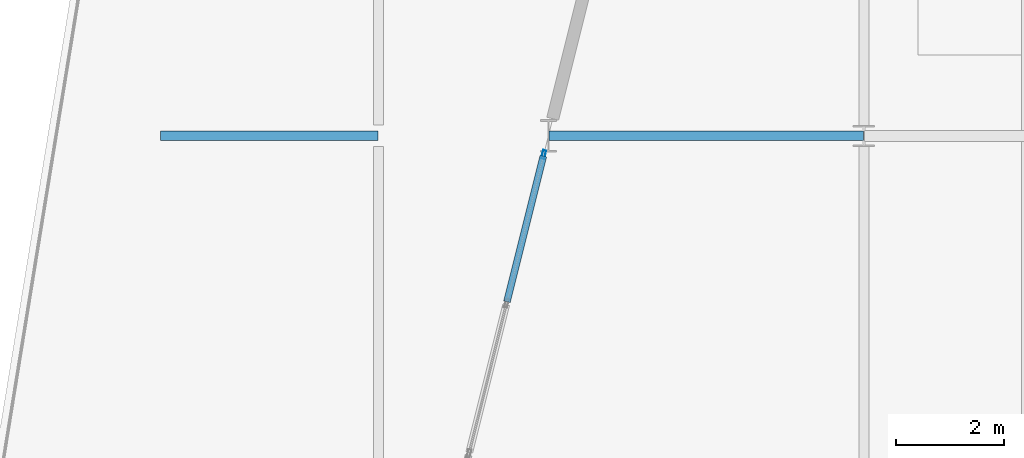
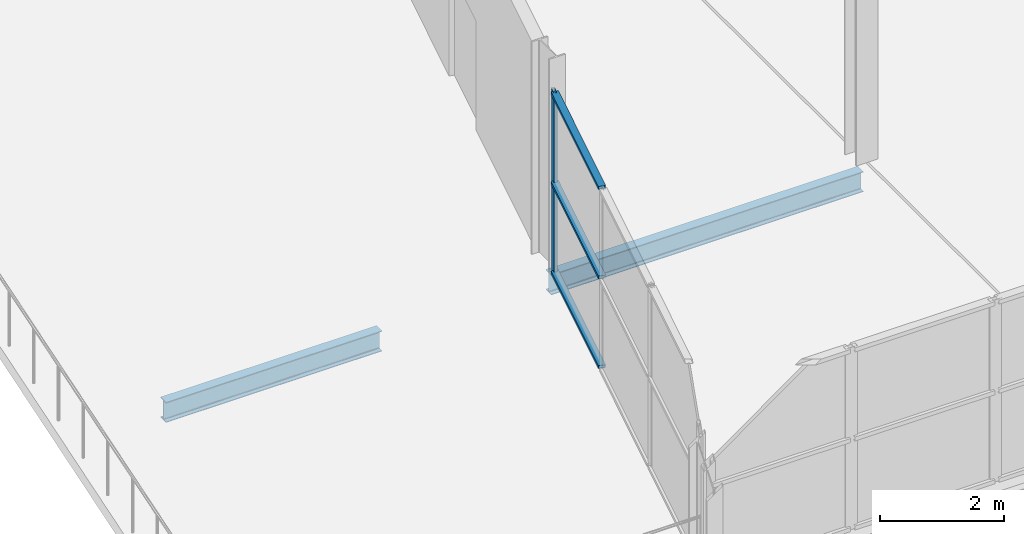
# One storey, part 10 of 44: 4 members, 2 beams, 1 element without a shape of its own.
"""IFC4 building model written with IfcOpenShell, lengths in metres."""

from ifc_helpers import new_model, si_unit, direction, frame, origin, origin_2d, place, context, subcontext, project, spatial, hollow_rectangle, i_section, extrude, material, layer, layer_set, material_profile, profile_set, type_object, element, aggregate, save


model = new_model("IFC4")

# Units and contexts
model_context = context("Model", 3, precision=1e-05, world=origin(), true_north=direction((0.0, 1.0)))
body_context = subcontext(model_context, "Body", "Model", "MODEL_VIEW")
ifc_project = project(units=[si_unit("LENGTHUNIT", "METRE"), si_unit("AREAUNIT", "SQUARE_METRE"), si_unit("VOLUMEUNIT", "CUBIC_METRE"), si_unit("PLANEANGLEUNIT", "RADIAN"), si_unit("MASSUNIT", "GRAM", prefix="KILO")], contexts=[model_context])

# Site, building, storey
site_placement = place(None, origin())
site = spatial("IfcSite", under=ifc_project, at=site_placement, CompositionType="ELEMENT")
building_placement = place(site_placement, origin())
building = spatial("IfcBuilding", under=site, at=building_placement, Name="Deido Ridge Mobility Hub", CompositionType="ELEMENT")
storey_placement = place(building_placement, frame((0.0, 0.0, 25.199951171875)))
storey = spatial("IfcBuildingStorey", under=building, at=storey_placement, Name="L06", CompositionType="ELEMENT", Elevation=25.199951171875)

# Beams
ifc_material_1 = material(Name="Steel S355J2 EN 10025-2", Category="steel")
ifc_material_profile_1 = material_profile(ifc_material_1, i_section(OverallWidth=0.179931640625, OverallDepth=0.39990234375, WebThickness=0.008544921875, FlangeThickness=0.013427734375, FilletRadius=0.02099609375, at=origin_2d()), Name="IPE 400")
ifc_profile_set_1 = profile_set([ifc_material_profile_1], Name="Steel S355J2 EN 10025-2")
beam_type = type_object("IfcBeamType", Name="BM-IPE400", PredefinedType="BEAM", material=ifc_profile_set_1)
beam_1_placement = place(storey_placement, frame((130.957763671875, 9.0, -0.43994140625), z_axis=(1.0, 0.0, 0.0), x_axis=(0.0, 1.0, 0.0)))
element("IfcBeam", 1, at=beam_1_placement, inside=storey, type_object=beam_type, Name="Floor beam B5", PredefinedType="BEAM", context=body_context, shape_type="SweptSolid", body=[
    extrude(i_section(OverallWidth=0.179931640625, OverallDepth=0.39990234375, WebThickness=0.008544921875, FlangeThickness=0.013427734375, FilletRadius=0.02099609375, at=origin_2d()), origin(), (0.0, 0.0, 1.0), 4.035400390625),
])
beam_2_placement = place(storey_placement, frame((138.15771484375, 9.0, -0.43994140625), z_axis=(1.0, 0.0, 0.0), x_axis=(0.0, 1.0, 0.0)))
element("IfcBeam", 2, at=beam_2_placement, inside=storey, type_object=beam_type, Name="Floor beam B5", PredefinedType="BEAM", context=body_context, shape_type="SweptSolid", body=[
    extrude(i_section(OverallWidth=0.179931640625, OverallDepth=0.39990234375, WebThickness=0.008544921875, FlangeThickness=0.013427734375, FilletRadius=0.02099609375, at=origin_2d()), origin(), (0.0, 0.0, 1.0), 5.83349609375),
])

# Curtain wall, members
ifc_material_2 = material(Name="Anodised aluminium EN AW-6063 T6", Category="aluminium")
ifc_layer = layer(ifc_material_2, 0.2099609375, Name="Anodised aluminium EN AW-6063 T6")
ifc_layer_set = layer_set([ifc_layer], Name="Anodised aluminium EN AW-6063 T6")
curtain_wall_type = type_object("IfcCurtainWallType", Name="CW-UF-4", PredefinedType="USERDEFINED", material=ifc_layer_set)
curtain_wall_placement = place(storey_placement, origin())
curtain_wall = element("IfcCurtainWall", 3, at=curtain_wall_placement, inside=storey, type_object=curtain_wall_type, Name="Unitised curtain wall CW4", ObjectType="UNITISED FACADE", PredefinedType="USERDEFINED")
ifc_material_profile_2 = material_profile(ifc_material_2, hollow_rectangle(XDim=0.06005859375, YDim=0.159912109375, WallThickness=0.00390625, at=origin_2d()), Name="RHS 60x160x4")
ifc_profile_set_2 = profile_set([ifc_material_profile_2], Name="Anodised aluminium EN AW-6063 T6")
member_type_1 = type_object("IfcMemberType", Name="MEM-MUL-60X160", PredefinedType="MULLION", material=ifc_profile_set_2)
member_1_placement = place(storey_placement, frame((138.063232421875, 8.6533203125, 0.0), z_axis=(0.0, 0.0, 1.0), x_axis=(-0.970142500145, 0.242535625038, 0.0)))
member_1 = element("IfcMember", 4, at=member_1_placement, type_object=member_type_1, Name="CW4 mullion 4", PredefinedType="MULLION", context=body_context, shape_type="SweptSolid", body=[
    extrude(hollow_rectangle(XDim=0.06005859375, YDim=0.159912109375, WallThickness=0.00390625, at=origin_2d()), origin(), (0.0, 0.0, 1.0), 3.60009765625),
])
ifc_material_profile_3 = material_profile(ifc_material_2, hollow_rectangle(XDim=0.125, YDim=0.06005859375, WallThickness=0.00390625, at=origin_2d()), Name="RHS 125x60x4")
ifc_profile_set_3 = profile_set([ifc_material_profile_3], Name="Anodised aluminium EN AW-6063 T6")
member_type_2 = type_object("IfcMemberType", Name="MEM-TRN-125X60", PredefinedType="USERDEFINED", material=ifc_profile_set_3)
member_2_placement = place(storey_placement, frame((137.380859375, 5.92333984375, 0.030029296875), z_axis=(0.242556258409, 0.970137341569, 0.0), x_axis=(-0.970137341569, 0.242556258409, 0.0)))
member_2 = element("IfcMember", 5, at=member_2_placement, type_object=member_type_2, Name="CW4 transom 3.1", ObjectType="TRANSOM", PredefinedType="USERDEFINED", context=body_context, shape_type="SweptSolid", body=[
    extrude(hollow_rectangle(XDim=0.125, YDim=0.06005859375, WallThickness=0.00390625, at=origin_2d()), origin(), (0.0, 0.0, 1.0), 2.7841796875),
])
member_3_placement = place(storey_placement, frame((137.380859375, 5.92333984375, 1.800048828125), z_axis=(0.242556258409, 0.970137341569, 0.0), x_axis=(-0.970137341569, 0.242556258409, 0.0)))
member_3 = element("IfcMember", 6, at=member_3_placement, type_object=member_type_2, Name="CW4 transom 3.2", ObjectType="TRANSOM", PredefinedType="USERDEFINED", context=body_context, shape_type="SweptSolid", body=[
    extrude(hollow_rectangle(XDim=0.125, YDim=0.06005859375, WallThickness=0.00390625, at=origin_2d()), origin(), (0.0, 0.0, 1.0), 2.7841796875),
])
member_4_placement = place(storey_placement, frame((137.380859375, 5.92333984375, 3.570068359375), z_axis=(0.242556258409, 0.970137341569, 0.0), x_axis=(-0.970137341569, 0.242556258409, 0.0)))
member_4 = element("IfcMember", 7, at=member_4_placement, type_object=member_type_2, Name="CW4 transom 3.3", ObjectType="TRANSOM", PredefinedType="USERDEFINED", context=body_context, shape_type="SweptSolid", body=[
    extrude(hollow_rectangle(XDim=0.125, YDim=0.06005859375, WallThickness=0.00390625, at=origin_2d()), origin(), (0.0, 0.0, 1.0), 2.7841796875),
])
aggregate(curtain_wall, [member_1, member_2, member_3, member_4])

save(model, "model.ifc")
